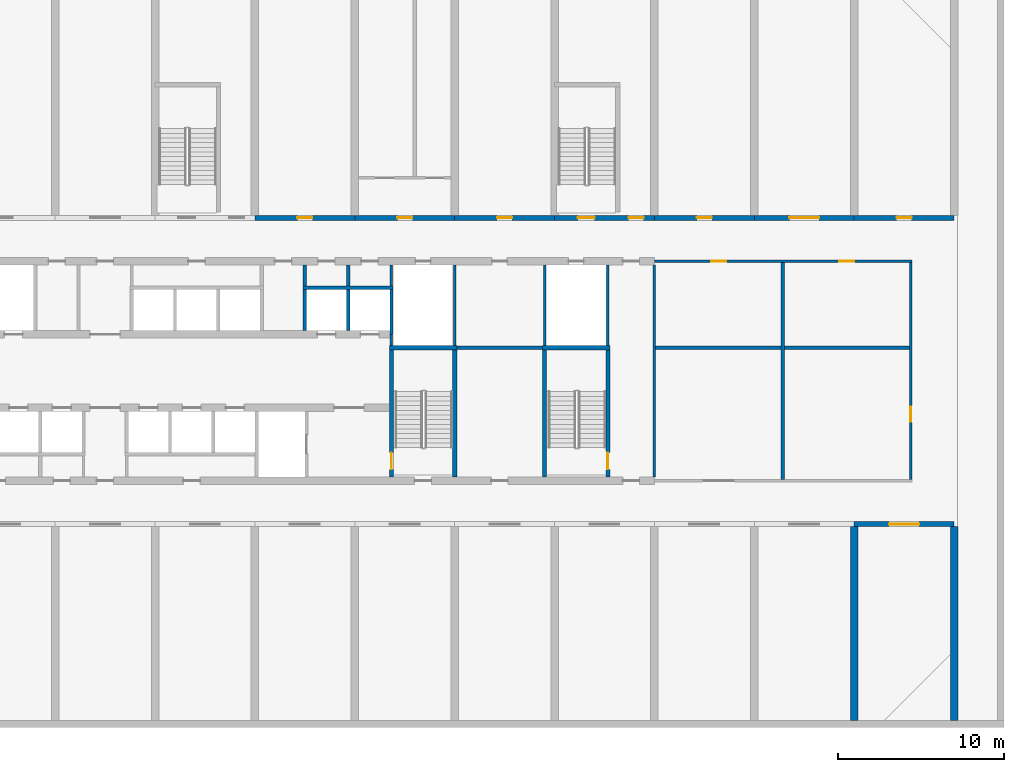
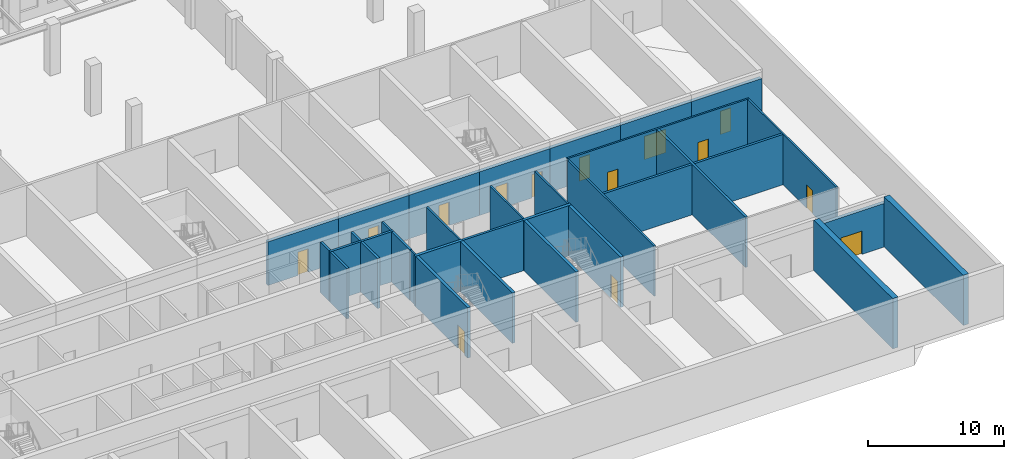
# One storey, part 13 of 20: 33 walls, 14 doors, 14 openings.
"""IFC4 building model written with IfcOpenShell, lengths in metres."""

from ifc_helpers import new_model, si_unit, direction, frame, frame_2d, origin, place, context, subcontext, project, spatial, rectangle, extrude, material, layer, layer_set, type_object, element, fill, save


model = new_model("IFC4")

# Units and contexts
model_context = context("Model", 3, precision=1e-05, world=origin(), true_north=direction((0.0, 1.0)))
body_context = subcontext(model_context, "Body", "Model", "MODEL_VIEW")
ifc_project = project(units=[si_unit("LENGTHUNIT", "METRE"), si_unit("AREAUNIT", "SQUARE_METRE"), si_unit("VOLUMEUNIT", "CUBIC_METRE"), si_unit("PLANEANGLEUNIT", "RADIAN"), si_unit("MASSUNIT", "GRAM", prefix="KILO")], contexts=[model_context])

# Site, building, storey
site_placement = place(None, origin())
site = spatial("IfcSite", under=ifc_project, at=site_placement, CompositionType="ELEMENT")
building_placement = place(site_placement, origin())
building = spatial("IfcBuilding", under=site, at=building_placement, Name="Poui Terraces", CompositionType="ELEMENT")
storey_placement = place(building_placement, frame((0.0, 0.0, 6.0)))
storey = spatial("IfcBuildingStorey", under=building, at=storey_placement, Name="L01", CompositionType="ELEMENT", Elevation=6.0)

# Walls
ifc_material_1 = material(Name="Fire-rated masonry wall", Category="masonry")
ifc_layer_1 = layer(ifc_material_1, 0.199951171875)
ifc_layer_set_1 = layer_set([ifc_layer_1], Name="Fire-rated masonry wall")
wall_type_1 = type_object("IfcWallType", Name="COMPARTMENT WALL 200", PredefinedType="PARTITIONING", material=ifc_layer_set_1)
wall_1_placement = place(storey_placement, frame((72.135009765625, 22.60009765625, 0.0), z_axis=(0.0, 0.0, 1.0), x_axis=(1.0, 0.0, 0.0)))
element("IfcWall", 1, at=wall_1_placement, inside=storey, type_object=wall_type_1, Name="COMPARTMENT WALL 200", PredefinedType="PARTITIONING", context=body_context, shape_type="SweptSolid", body=[
    extrude(rectangle(XDim=5.1298828125, YDim=0.199951171875, at=frame_2d((2.56494140625, 0.0))), origin(), (0.0, 0.0, 1.0), 4.52001953125),
])
wall_2_placement = place(storey_placement, frame((84.074951171875, 22.60009765625, 0.0), z_axis=(0.0, 0.0, 1.0), x_axis=(1.0, 0.0, 0.0)))
element("IfcWall", 2, at=wall_2_placement, inside=storey, type_object=wall_type_1, Name="COMPARTMENT WALL 200", PredefinedType="PARTITIONING", context=body_context, shape_type="SweptSolid", body=[
    extrude(rectangle(XDim=15.25, YDim=0.199951171875, at=frame_2d((7.625, 0.0))), origin(), (0.0, 0.0, 1.0), 4.52001953125),
])
wall_3_placement = place(storey_placement, frame((63.0, 26.300048828125, 0.0), z_axis=(0.0, 0.0, 1.0), x_axis=(0.0, 1.0, 0.0)))
element("IfcWall", 3, at=wall_3_placement, inside=storey, type_object=wall_type_1, Name="COMPARTMENT WALL 200", PredefinedType="PARTITIONING", context=body_context, shape_type="SweptSolid", body=[
    extrude(rectangle(XDim=1.264892578125, YDim=0.199951171875, at=frame_2d((0.63232421875, 0.0))), origin(), (0.0, 0.0, 1.0), 4.52001953125),
])
wall_4_placement = place(storey_placement, frame((91.699951171875, 14.675048828125, 0.0), z_axis=(0.0, 0.0, 1.0), x_axis=(0.0, 1.0, 0.0)))
element("IfcWall", 4, at=wall_4_placement, inside=storey, type_object=wall_type_1, Name="COMPARTMENT WALL 200", PredefinedType="PARTITIONING", context=body_context, shape_type="SweptSolid", body=[
    extrude(rectangle(XDim=13.050048828125, YDim=0.199951171875, at=frame_2d((6.52490234375, 0.0))), origin(), (0.0, 0.0, 1.0), 4.52001953125),
])

# Wall, openings, doors
ifc_material_2 = material(Name="Fire-rated plasterboard wall")
ifc_layer_2 = layer(ifc_material_2, 0.14990234375)
ifc_layer_set_2 = layer_set([ifc_layer_2], Name="Fire-rated plasterboard wall")
wall_type_2 = type_object("IfcWallType", Name="CORRIDOR WALL 150", PredefinedType="PARTITIONING", material=ifc_layer_set_2)
wall_5_placement = place(storey_placement, frame((84.010009765625, 27.800048828125, 0.0), z_axis=(0.0, 0.0, 1.0), x_axis=(1.0, 0.0, 0.0)))
wall_5 = element("IfcWall", 5, at=wall_5_placement, inside=storey, type_object=wall_type_2, Name="CORRIDOR WALL 150", PredefinedType="PARTITIONING", context=body_context, shape_type="SweptSolid", body=[
    extrude(rectangle(XDim=15.465087890625, YDim=0.14990234375, at=frame_2d((7.732421875, 0.0))), origin(), (0.0, 0.0, 1.0), 4.52001953125),
])
opening_1_placement = place(wall_5_placement, frame((3.389892578125, 0.0, 0.0)))
opening_1 = element("IfcOpeningElement", 6, at=opening_1_placement, cuts=wall_5, Name="Opening D90", PredefinedType="OPENING", context=body_context, shape_type="SweptSolid", body=[
    extrude(rectangle(XDim=0.89990234375, YDim=2.10009765625, at=frame_2d((0.449951171875, 1.050048828125))), frame((0.0, 0.0849609375, 0.0), z_axis=(0.0, -1.0, 0.0), x_axis=(1.0, 0.0, 0.0)), (0.0, 0.0, 1.0), 0.169921875),
])
opening_2_placement = place(wall_5_placement, frame((11.090087890625, 0.0, 0.0)))
opening_2 = element("IfcOpeningElement", 7, at=opening_2_placement, cuts=wall_5, Name="Opening D90", PredefinedType="OPENING", context=body_context, shape_type="SweptSolid", body=[
    extrude(rectangle(XDim=0.89990234375, YDim=2.10009765625, at=frame_2d((0.449951171875, 1.050048828125))), frame((0.0, 0.0849609375, 0.0), z_axis=(0.0, -1.0, 0.0), x_axis=(1.0, 0.0, 0.0)), (0.0, 0.0, 1.0), 0.169921875),
])
ifc_material_3 = material(Name="Solid core timber door", Category="wood")
door_type_1 = type_object("IfcDoorType", Name="INTERNAL DOOR 900 X 2100", OperationType="NOTDEFINED", PredefinedType="DOOR", material=ifc_material_3)
door_1_placement = place(opening_1_placement, origin())
door_1 = element("IfcDoor", 8, at=door_1_placement, inside=storey, type_object=door_type_1, Name="INTERNAL DOOR 038", OperationType="SINGLE_SWING_RIGHT", OverallHeight=2.10009765625, OverallWidth=0.89990234375, PredefinedType="DOOR", context=body_context, shape_type="SweptSolid", body=[
    extrude(rectangle(XDim=0.89990234375, YDim=2.10009765625, at=frame_2d((0.449951171875, 1.050048828125))), frame((0.0, 0.02490234375, 0.0), z_axis=(0.0, -1.0, 0.0), x_axis=(1.0, 0.0, 0.0)), (0.0, 0.0, 1.0), 0.050048828125),
])
fill(opening_1, door_1)
door_2_placement = place(opening_2_placement, origin())
door_2 = element("IfcDoor", 9, at=door_2_placement, inside=storey, type_object=door_type_1, Name="INTERNAL DOOR 040", OperationType="SINGLE_SWING_LEFT", OverallHeight=2.10009765625, OverallWidth=0.89990234375, PredefinedType="DOOR", context=body_context, shape_type="SweptSolid", body=[
    extrude(rectangle(XDim=0.89990234375, YDim=2.10009765625, at=frame_2d((0.449951171875, 1.050048828125))), frame((0.0, 0.02490234375, 0.0), z_axis=(0.0, -1.0, 0.0), x_axis=(1.0, 0.0, 0.0)), (0.0, 0.0, 1.0), 0.050048828125),
])
fill(opening_2, door_2)

# Wall
wall_6_placement = place(storey_placement, frame((84.0, 14.8349609375, 0.0), z_axis=(0.0, 0.0, 1.0), x_axis=(0.0, 1.0, 0.0)))
element("IfcWall", 10, at=wall_6_placement, inside=storey, type_object=wall_type_2, Name="CORRIDOR WALL 150", PredefinedType="PARTITIONING", context=body_context, shape_type="SweptSolid", body=[
    extrude(rectangle(XDim=12.72998046875, YDim=0.14990234375, at=frame_2d((6.364990234375, 0.0))), origin(), (0.0, 0.0, 1.0), 4.52001953125),
])

# Wall, opening, door
wall_7_placement = place(storey_placement, frame((99.39990234375, 14.675048828125, 0.0), z_axis=(0.0, 0.0, 1.0), x_axis=(0.0, 1.0, 0.0)))
wall_7 = element("IfcWall", 11, at=wall_7_placement, inside=storey, type_object=wall_type_2, Name="CORRIDOR WALL 150", PredefinedType="PARTITIONING", context=body_context, shape_type="SweptSolid", body=[
    extrude(rectangle(XDim=13.050048828125, YDim=0.14990234375, at=frame_2d((6.52490234375, 0.0))), origin(), (0.0, 0.0, 1.0), 4.52001953125),
])
opening_3_placement = place(wall_7_placement, frame((3.47509765625, 0.0, 0.0)))
opening_3 = element("IfcOpeningElement", 12, at=opening_3_placement, cuts=wall_7, Name="Opening D90", PredefinedType="OPENING", context=body_context, shape_type="SweptSolid", body=[
    extrude(rectangle(XDim=0.89990234375, YDim=2.10009765625, at=frame_2d((0.449951171875, 1.050048828125))), frame((0.0, 0.0849609375, 0.0), z_axis=(0.0, -1.0, 0.0), x_axis=(1.0, 0.0, 0.0)), (0.0, 0.0, 1.0), 0.169921875),
])
door_3_placement = place(opening_3_placement, frame((0.89990234375, 0.0, 0.0), z_axis=(0.0, 0.0, 1.0), x_axis=(-1.0, 0.0, 0.0)))
door_3 = element("IfcDoor", 13, at=door_3_placement, inside=storey, type_object=door_type_1, Name="INTERNAL DOOR 001", OperationType="SINGLE_SWING_LEFT", OverallHeight=2.10009765625, OverallWidth=0.89990234375, PredefinedType="DOOR", context=body_context, shape_type="SweptSolid", body=[
    extrude(rectangle(XDim=0.89990234375, YDim=2.10009765625, at=frame_2d((0.449951171875, 1.050048828125))), frame((0.0, 0.02490234375, 0.0), z_axis=(0.0, -1.0, 0.0), x_axis=(1.0, 0.0, 0.0)), (0.0, 0.0, 1.0), 0.050048828125),
])
fill(opening_3, door_3)

ifc_material_4 = material(Name="Concrete 80 MPa", Category="concrete")
ifc_layer_3 = layer(ifc_material_4, 0.300048828125)
ifc_layer_set_3 = layer_set([ifc_layer_3], Name="Concrete 80 MPa")
wall_type_3 = type_object("IfcWallType", Name="CORRIDOR WALL 300 80MPa", PredefinedType="SHEAR", material=ifc_layer_set_3)
wall_8_placement = place(storey_placement, frame((96.0, 12.0, 0.0), z_axis=(0.0, 0.0, 1.0), x_axis=(1.0, 0.0, 0.0)))
wall_8 = element("IfcWall", 14, at=wall_8_placement, inside=storey, type_object=wall_type_3, Name="CORRIDOR WALL LINE B BAY 17", PredefinedType="SHEAR", context=body_context, shape_type="SweptSolid", body=[
    extrude(rectangle(XDim=6.0, YDim=0.300048828125, at=frame_2d((3.0, 0.0))), origin(), (0.0, 0.0, 1.0), 3.919921875),
])
opening_4_placement = place(wall_8_placement, frame((2.10009765625, 0.0, 0.0)))
opening_4 = element("IfcOpeningElement", 15, at=opening_4_placement, cuts=wall_8, Name="Opening DD180", PredefinedType="OPENING", context=body_context, shape_type="SweptSolid", body=[
    extrude(rectangle(XDim=1.800048828125, YDim=2.10009765625, at=frame_2d((0.89990234375, 1.050048828125))), frame((0.0, 0.16015625, 0.0), z_axis=(0.0, -1.0, 0.0), x_axis=(1.0, 0.0, 0.0)), (0.0, 0.0, 1.0), 0.320068359375),
])
ifc_material_5 = material(Name="Steel fire door", Category="steel")
door_type_2 = type_object("IfcDoorType", Name="DOUBLE INTERNAL DOOR 1800 X 2100", OperationType="DOUBLE_DOOR_SINGLE_SWING", PredefinedType="DOOR", material=ifc_material_5)
door_4_placement = place(opening_4_placement, origin())
door_4 = element("IfcDoor", 16, at=door_4_placement, inside=storey, type_object=door_type_2, Name="DOUBLE INTERNAL DOOR 070", OperationType="DOUBLE_DOOR_SINGLE_SWING", OverallHeight=2.10009765625, OverallWidth=1.800048828125, PredefinedType="DOOR", context=body_context, shape_type="SweptSolid", body=[
    extrude(rectangle(XDim=1.800048828125, YDim=2.10009765625, at=frame_2d((0.89990234375, 1.050048828125))), frame((0.0, 0.02490234375, 0.0), z_axis=(0.0, -1.0, 0.0), x_axis=(1.0, 0.0, 0.0)), (0.0, 0.0, 1.0), 0.050048828125),
])
fill(opening_4, door_4)

wall_9_placement = place(storey_placement, frame((60.0, 30.39990234375, 0.0), z_axis=(0.0, 0.0, 1.0), x_axis=(1.0, 0.0, 0.0)))
wall_9 = element("IfcWall", 17, at=wall_9_placement, inside=storey, type_object=wall_type_3, Name="CORRIDOR WALL LINE E BAY 11", PredefinedType="SHEAR", context=body_context, shape_type="SweptSolid", body=[
    extrude(rectangle(XDim=6.0, YDim=0.300048828125, at=frame_2d((3.0, 0.0))), origin(), (0.0, 0.0, 1.0), 3.919921875),
])
opening_5_placement = place(wall_9_placement, frame((2.550048828125, 0.0, 0.0)))
opening_5 = element("IfcOpeningElement", 18, at=opening_5_placement, cuts=wall_9, Name="Opening D90", PredefinedType="OPENING", context=body_context, shape_type="SweptSolid", body=[
    extrude(rectangle(XDim=0.89990234375, YDim=2.10009765625, at=frame_2d((0.449951171875, 1.050048828125))), frame((0.0, 0.16015625, 0.0), z_axis=(0.0, -1.0, 0.0), x_axis=(1.0, 0.0, 0.0)), (0.0, 0.0, 1.0), 0.320068359375),
])
door_5_placement = place(opening_5_placement, frame((0.89990234375, 0.0, 0.0), z_axis=(0.0, 0.0, 1.0), x_axis=(-1.0, 0.0, 0.0)))
door_5 = element("IfcDoor", 19, at=door_5_placement, inside=storey, type_object=door_type_1, Name="INTERNAL DOOR 026", OperationType="SINGLE_SWING_LEFT", OverallHeight=2.10009765625, OverallWidth=0.89990234375, PredefinedType="DOOR", context=body_context, shape_type="SweptSolid", body=[
    extrude(rectangle(XDim=0.89990234375, YDim=2.10009765625, at=frame_2d((0.449951171875, 1.050048828125))), frame((0.0, 0.02490234375, 0.0), z_axis=(0.0, -1.0, 0.0), x_axis=(1.0, 0.0, 0.0)), (0.0, 0.0, 1.0), 0.050048828125),
])
fill(opening_5, door_5)

wall_10_placement = place(storey_placement, frame((66.0, 30.39990234375, 0.0), z_axis=(0.0, 0.0, 1.0), x_axis=(1.0, 0.0, 0.0)))
wall_10 = element("IfcWall", 20, at=wall_10_placement, inside=storey, type_object=wall_type_3, Name="CORRIDOR WALL LINE E BAY 12", PredefinedType="SHEAR", context=body_context, shape_type="SweptSolid", body=[
    extrude(rectangle(XDim=6.0, YDim=0.300048828125, at=frame_2d((3.0, 0.0))), origin(), (0.0, 0.0, 1.0), 3.919921875),
])
opening_6_placement = place(wall_10_placement, frame((2.550048828125, 0.0, 0.0)))
opening_6 = element("IfcOpeningElement", 21, at=opening_6_placement, cuts=wall_10, Name="Opening D90", PredefinedType="OPENING", context=body_context, shape_type="SweptSolid", body=[
    extrude(rectangle(XDim=0.89990234375, YDim=2.10009765625, at=frame_2d((0.449951171875, 1.050048828125))), frame((0.0, 0.16015625, 0.0), z_axis=(0.0, -1.0, 0.0), x_axis=(1.0, 0.0, 0.0)), (0.0, 0.0, 1.0), 0.320068359375),
])
door_6_placement = place(opening_6_placement, frame((0.89990234375, 0.0, 0.0), z_axis=(0.0, 0.0, 1.0), x_axis=(-1.0, 0.0, 0.0)))
door_6 = element("IfcDoor", 22, at=door_6_placement, inside=storey, type_object=door_type_1, Name="INTERNAL DOOR 029", OperationType="SINGLE_SWING_RIGHT", OverallHeight=2.10009765625, OverallWidth=0.89990234375, PredefinedType="DOOR", context=body_context, shape_type="SweptSolid", body=[
    extrude(rectangle(XDim=0.89990234375, YDim=2.10009765625, at=frame_2d((0.449951171875, 1.050048828125))), frame((0.0, 0.02490234375, 0.0), z_axis=(0.0, -1.0, 0.0), x_axis=(1.0, 0.0, 0.0)), (0.0, 0.0, 1.0), 0.050048828125),
])
fill(opening_6, door_6)

wall_11_placement = place(storey_placement, frame((72.0, 30.39990234375, 0.0), z_axis=(0.0, 0.0, 1.0), x_axis=(1.0, 0.0, 0.0)))
wall_11 = element("IfcWall", 23, at=wall_11_placement, inside=storey, type_object=wall_type_3, Name="CORRIDOR WALL LINE E BAY 13", PredefinedType="SHEAR", context=body_context, shape_type="SweptSolid", body=[
    extrude(rectangle(XDim=6.0, YDim=0.300048828125, at=frame_2d((3.0, 0.0))), origin(), (0.0, 0.0, 1.0), 3.919921875),
])
opening_7_placement = place(wall_11_placement, frame((2.550048828125, 0.0, 0.0)))
opening_7 = element("IfcOpeningElement", 24, at=opening_7_placement, cuts=wall_11, Name="Opening D90", PredefinedType="OPENING", context=body_context, shape_type="SweptSolid", body=[
    extrude(rectangle(XDim=0.89990234375, YDim=2.10009765625, at=frame_2d((0.449951171875, 1.050048828125))), frame((0.0, 0.16015625, 0.0), z_axis=(0.0, -1.0, 0.0), x_axis=(1.0, 0.0, 0.0)), (0.0, 0.0, 1.0), 0.320068359375),
])
door_7_placement = place(opening_7_placement, frame((0.89990234375, 0.0, 0.0), z_axis=(0.0, 0.0, 1.0), x_axis=(-1.0, 0.0, 0.0)))
door_7 = element("IfcDoor", 25, at=door_7_placement, inside=storey, type_object=door_type_1, Name="INTERNAL DOOR 032", OperationType="SINGLE_SWING_LEFT", OverallHeight=2.10009765625, OverallWidth=0.89990234375, PredefinedType="DOOR", context=body_context, shape_type="SweptSolid", body=[
    extrude(rectangle(XDim=0.89990234375, YDim=2.10009765625, at=frame_2d((0.449951171875, 1.050048828125))), frame((0.0, 0.02490234375, 0.0), z_axis=(0.0, -1.0, 0.0), x_axis=(1.0, 0.0, 0.0)), (0.0, 0.0, 1.0), 0.050048828125),
])
fill(opening_7, door_7)

# Wall, openings, doors
wall_12_placement = place(storey_placement, frame((78.0, 30.39990234375, 0.0), z_axis=(0.0, 0.0, 1.0), x_axis=(1.0, 0.0, 0.0)))
wall_12 = element("IfcWall", 26, at=wall_12_placement, inside=storey, type_object=wall_type_3, Name="CORRIDOR WALL LINE E BAY 14", PredefinedType="SHEAR", context=body_context, shape_type="SweptSolid", body=[
    extrude(rectangle(XDim=6.0, YDim=0.300048828125, at=frame_2d((3.0, 0.0))), origin(), (0.0, 0.0, 1.0), 3.919921875),
])
opening_8_placement = place(wall_12_placement, frame((1.39990234375, 0.0, 0.0)))
opening_8 = element("IfcOpeningElement", 27, at=opening_8_placement, cuts=wall_12, Name="Opening FD60S", PredefinedType="OPENING", context=body_context, shape_type="SweptSolid", body=[
    extrude(rectangle(XDim=1.0, YDim=2.10009765625, at=frame_2d((0.5, 1.050048828125))), frame((0.0, 0.16015625, 0.0), z_axis=(0.0, -1.0, 0.0), x_axis=(1.0, 0.0, 0.0)), (0.0, 0.0, 1.0), 0.320068359375),
])
opening_9_placement = place(wall_12_placement, frame((4.449951171875, 0.0, 0.0)))
opening_9 = element("IfcOpeningElement", 28, at=opening_9_placement, cuts=wall_12, Name="Opening D90", PredefinedType="OPENING", context=body_context, shape_type="SweptSolid", body=[
    extrude(rectangle(XDim=0.89990234375, YDim=2.10009765625, at=frame_2d((0.449951171875, 1.050048828125))), frame((0.0, 0.16015625, 0.0), z_axis=(0.0, -1.0, 0.0), x_axis=(1.0, 0.0, 0.0)), (0.0, 0.0, 1.0), 0.320068359375),
])
door_8_placement = place(opening_9_placement, frame((0.89990234375, 0.0, 0.0), z_axis=(0.0, 0.0, 1.0), x_axis=(-1.0, 0.0, 0.0)))
door_8 = element("IfcDoor", 29, at=door_8_placement, inside=storey, type_object=door_type_1, Name="INTERNAL DOOR 036", OperationType="SINGLE_SWING_LEFT", OverallHeight=2.10009765625, OverallWidth=0.89990234375, PredefinedType="DOOR", context=body_context, shape_type="SweptSolid", body=[
    extrude(rectangle(XDim=0.89990234375, YDim=2.10009765625, at=frame_2d((0.449951171875, 1.050048828125))), frame((0.0, 0.02490234375, 0.0), z_axis=(0.0, -1.0, 0.0), x_axis=(1.0, 0.0, 0.0)), (0.0, 0.0, 1.0), 0.050048828125),
])
fill(opening_9, door_8)
door_type_3 = type_object("IfcDoorType", Name="STAIR DOOR 1000 X 2100", OperationType="NOTDEFINED", PredefinedType="DOOR", material=ifc_material_5)
door_9_placement = place(opening_8_placement, origin())
door_9 = element("IfcDoor", 30, at=door_9_placement, inside=storey, type_object=door_type_3, Name="STAIR DOOR 034", OperationType="SINGLE_SWING_LEFT", OverallHeight=2.10009765625, OverallWidth=1.0, PredefinedType="DOOR", context=body_context, shape_type="SweptSolid", body=[
    extrude(rectangle(XDim=1.0, YDim=2.10009765625, at=frame_2d((0.5, 1.050048828125))), frame((0.0, 0.02490234375, 0.0), z_axis=(0.0, -1.0, 0.0), x_axis=(1.0, 0.0, 0.0)), (0.0, 0.0, 1.0), 0.050048828125),
])
fill(opening_8, door_9)

# Wall, opening, door
wall_13_placement = place(storey_placement, frame((84.0, 30.39990234375, 0.0), z_axis=(0.0, 0.0, 1.0), x_axis=(1.0, 0.0, 0.0)))
wall_13 = element("IfcWall", 31, at=wall_13_placement, inside=storey, type_object=wall_type_3, Name="CORRIDOR WALL LINE E BAY 15", PredefinedType="SHEAR", context=body_context, shape_type="SweptSolid", body=[
    extrude(rectangle(XDim=6.0, YDim=0.300048828125, at=frame_2d((3.0, 0.0))), origin(), (0.0, 0.0, 1.0), 3.919921875),
])
opening_10_placement = place(wall_13_placement, frame((2.550048828125, 0.0, 0.0)))
opening_10 = element("IfcOpeningElement", 32, at=opening_10_placement, cuts=wall_13, Name="Opening D90", PredefinedType="OPENING", context=body_context, shape_type="SweptSolid", body=[
    extrude(rectangle(XDim=0.89990234375, YDim=2.10009765625, at=frame_2d((0.449951171875, 1.050048828125))), frame((0.0, 0.16015625, 0.0), z_axis=(0.0, -1.0, 0.0), x_axis=(1.0, 0.0, 0.0)), (0.0, 0.0, 1.0), 0.320068359375),
])
door_10_placement = place(opening_10_placement, frame((0.89990234375, 0.0, 0.0), z_axis=(0.0, 0.0, 1.0), x_axis=(-1.0, 0.0, 0.0)))
door_10 = element("IfcDoor", 33, at=door_10_placement, inside=storey, type_object=door_type_1, Name="INTERNAL DOOR 037", OperationType="SINGLE_SWING_RIGHT", OverallHeight=2.10009765625, OverallWidth=0.89990234375, PredefinedType="DOOR", context=body_context, shape_type="SweptSolid", body=[
    extrude(rectangle(XDim=0.89990234375, YDim=2.10009765625, at=frame_2d((0.449951171875, 1.050048828125))), frame((0.0, 0.02490234375, 0.0), z_axis=(0.0, -1.0, 0.0), x_axis=(1.0, 0.0, 0.0)), (0.0, 0.0, 1.0), 0.050048828125),
])
fill(opening_10, door_10)

wall_14_placement = place(storey_placement, frame((90.0, 30.39990234375, 0.0), z_axis=(0.0, 0.0, 1.0), x_axis=(1.0, 0.0, 0.0)))
wall_14 = element("IfcWall", 34, at=wall_14_placement, inside=storey, type_object=wall_type_3, Name="CORRIDOR WALL LINE E BAY 16", PredefinedType="SHEAR", context=body_context, shape_type="SweptSolid", body=[
    extrude(rectangle(XDim=6.0, YDim=0.300048828125, at=frame_2d((3.0, 0.0))), origin(), (0.0, 0.0, 1.0), 3.919921875),
])
opening_11_placement = place(wall_14_placement, frame((2.10009765625, 0.0, 0.0)))
opening_11 = element("IfcOpeningElement", 35, at=opening_11_placement, cuts=wall_14, Name="Opening DD180", PredefinedType="OPENING", context=body_context, shape_type="SweptSolid", body=[
    extrude(rectangle(XDim=1.800048828125, YDim=2.10009765625, at=frame_2d((0.89990234375, 1.050048828125))), frame((0.0, 0.16015625, 0.0), z_axis=(0.0, -1.0, 0.0), x_axis=(1.0, 0.0, 0.0)), (0.0, 0.0, 1.0), 0.320068359375),
])
door_11_placement = place(opening_11_placement, frame((1.800048828125, 0.0, 0.0), z_axis=(0.0, 0.0, 1.0), x_axis=(-1.0, 0.0, 0.0)))
door_11 = element("IfcDoor", 36, at=door_11_placement, inside=storey, type_object=door_type_2, Name="DOUBLE INTERNAL DOOR 039", OperationType="DOUBLE_DOOR_SINGLE_SWING", OverallHeight=2.10009765625, OverallWidth=1.800048828125, PredefinedType="DOOR", context=body_context, shape_type="SweptSolid", body=[
    extrude(rectangle(XDim=1.800048828125, YDim=2.10009765625, at=frame_2d((0.89990234375, 1.050048828125))), frame((0.0, 0.02490234375, 0.0), z_axis=(0.0, -1.0, 0.0), x_axis=(1.0, 0.0, 0.0)), (0.0, 0.0, 1.0), 0.050048828125),
])
fill(opening_11, door_11)

wall_15_placement = place(storey_placement, frame((96.0, 30.39990234375, 0.0), z_axis=(0.0, 0.0, 1.0), x_axis=(1.0, 0.0, 0.0)))
wall_15 = element("IfcWall", 37, at=wall_15_placement, inside=storey, type_object=wall_type_3, Name="CORRIDOR WALL LINE E BAY 17", PredefinedType="SHEAR", context=body_context, shape_type="SweptSolid", body=[
    extrude(rectangle(XDim=6.0, YDim=0.300048828125, at=frame_2d((3.0, 0.0))), origin(), (0.0, 0.0, 1.0), 3.919921875),
])
opening_12_placement = place(wall_15_placement, frame((2.550048828125, 0.0, 0.0)))
opening_12 = element("IfcOpeningElement", 38, at=opening_12_placement, cuts=wall_15, Name="Opening D90", PredefinedType="OPENING", context=body_context, shape_type="SweptSolid", body=[
    extrude(rectangle(XDim=0.89990234375, YDim=2.10009765625, at=frame_2d((0.449951171875, 1.050048828125))), frame((0.0, 0.16015625, 0.0), z_axis=(0.0, -1.0, 0.0), x_axis=(1.0, 0.0, 0.0)), (0.0, 0.0, 1.0), 0.320068359375),
])
door_12_placement = place(opening_12_placement, frame((0.89990234375, 0.0, 0.0), z_axis=(0.0, 0.0, 1.0), x_axis=(-1.0, 0.0, 0.0)))
door_12 = element("IfcDoor", 39, at=door_12_placement, inside=storey, type_object=door_type_1, Name="INTERNAL DOOR 041", OperationType="SINGLE_SWING_RIGHT", OverallHeight=2.10009765625, OverallWidth=0.89990234375, PredefinedType="DOOR", context=body_context, shape_type="SweptSolid", body=[
    extrude(rectangle(XDim=0.89990234375, YDim=2.10009765625, at=frame_2d((0.449951171875, 1.050048828125))), frame((0.0, 0.02490234375, 0.0), z_axis=(0.0, -1.0, 0.0), x_axis=(1.0, 0.0, 0.0)), (0.0, 0.0, 1.0), 0.050048828125),
])
fill(opening_12, door_12)

# Walls
ifc_layer_4 = layer(ifc_material_4, 0.449951171875)
ifc_layer_set_4 = layer_set([ifc_layer_4], Name="Concrete 80 MPa")
wall_type_4 = type_object("IfcWallType", Name="CROSS WALL 450 80MPa", PredefinedType="SHEAR", material=ifc_layer_set_4)
for number, where, z_axis, x_axis, name in (
    (40, (96.0, 0.199951171875, 0.0), (0.0, 0.0, 1.0), (0.0, 1.0, 0.0), "CROSS WALL LINE 17 SOUTH"),
    (41, (102.0, 0.199951171875, 0.0), (0.0, 0.0, 1.0), (0.0, 1.0, 0.0), "CROSS WALL LINE 18 SOUTH"),
):
    element("IfcWall", number, at=place(storey_placement, frame(where, z_axis=z_axis, x_axis=x_axis)), inside=storey, type_object=wall_type_4, Name=name, PredefinedType="SHEAR", context=body_context, shape_type="SweptSolid", body=[
        extrude(rectangle(XDim=11.650146484375, YDim=0.449951171875, at=frame_2d((5.8251953125, 0.0))), origin(), (0.0, 0.0, 1.0), 4.52001953125),
    ])
ifc_layer_5 = layer(ifc_material_1, 0.199951171875)
ifc_layer_set_5 = layer_set([ifc_layer_5], Name="Fire-rated masonry wall")
wall_type_5 = type_object("IfcWallType", Name="PLANT ROOM WALL 200", PredefinedType="PARTITIONING", material=ifc_layer_set_5)
wall_16_placement = place(storey_placement, frame((65.60009765625, 26.300048828125, 0.0), z_axis=(0.0, 0.0, 1.0), x_axis=(0.0, 1.0, 0.0)))
element("IfcWall", 42, at=wall_16_placement, inside=storey, type_object=wall_type_5, Name="PLANT ROOM WALL 200", PredefinedType="PARTITIONING", context=body_context, shape_type="SweptSolid", body=[
    extrude(rectangle(XDim=1.264892578125, YDim=0.199951171875, at=frame_2d((0.63232421875, 0.0))), origin(), (0.0, 0.0, 1.0), 4.52001953125),
])
ifc_material_6 = material(Name="Fire-rated plasterboard riser wall")
ifc_layer_6 = layer(ifc_material_6, 0.14990234375)
ifc_layer_set_6 = layer_set([ifc_layer_6], Name="Fire-rated plasterboard riser wall")
wall_type_6 = type_object("IfcWallType", Name="RISER WALL 150", PredefinedType="PARTITIONING", material=ifc_layer_set_6)
wall_17_placement = place(storey_placement, frame((68.199951171875, 22.735107421875, 0.0), z_axis=(0.0, 0.0, 1.0), x_axis=(0.0, 1.0, 0.0)))
element("IfcWall", 43, at=wall_17_placement, inside=storey, type_object=wall_type_6, Name="RISER WALL 150", PredefinedType="PARTITIONING", context=body_context, shape_type="SweptSolid", body=[
    extrude(rectangle(XDim=0.664794921875, YDim=0.14990234375, at=frame_2d((0.33251953125, 0.0))), origin(), (0.0, 0.0, 1.0), 4.52001953125),
])
wall_18_placement = place(storey_placement, frame((68.199951171875, 26.300048828125, 0.0), z_axis=(0.0, 0.0, 1.0), x_axis=(0.0, 1.0, 0.0)))
element("IfcWall", 44, at=wall_18_placement, inside=storey, type_object=wall_type_6, Name="RISER WALL 150", PredefinedType="PARTITIONING", context=body_context, shape_type="SweptSolid", body=[
    extrude(rectangle(XDim=1.264892578125, YDim=0.14990234375, at=frame_2d((0.63232421875, 0.0))), origin(), (0.0, 0.0, 1.0), 4.52001953125),
])
for number, where, z_axis, x_axis, name in (
    (45, (72.0, 22.735107421875, 0.0), (0.0, 0.0, 1.0), (0.0, 1.0, 0.0), "RISER WALL 150"),
    (46, (77.39990234375, 22.735107421875, 0.0), (0.0, 0.0, 1.0), (0.0, 1.0, 0.0), "RISER WALL 150"),
    (47, (81.199951171875, 22.735107421875, 0.0), (0.0, 0.0, 1.0), (0.0, 1.0, 0.0), "RISER WALL 150"),
):
    element("IfcWall", number, at=place(storey_placement, frame(where, z_axis=z_axis, x_axis=x_axis)), inside=storey, type_object=wall_type_6, Name=name, PredefinedType="PARTITIONING", context=body_context, shape_type="SweptSolid", body=[
        extrude(rectangle(XDim=4.829833984375, YDim=0.14990234375, at=frame_2d((2.4150390625, 0.0))), origin(), (0.0, 0.0, 1.0), 4.52001953125),
    ])
ifc_material_7 = material(Name="Fire-rated masonry shaft wall", Category="masonry")
ifc_layer_7 = layer(ifc_material_7, 0.199951171875)
ifc_layer_set_7 = layer_set([ifc_layer_7], Name="Fire-rated masonry shaft wall")
wall_type_7 = type_object("IfcWallType", Name="SHAFT WALL 200", PredefinedType="PARTITIONING", material=ifc_layer_set_7)
wall_19_placement = place(storey_placement, frame((62.89990234375, 26.199951171875, 0.0), z_axis=(0.0, 0.0, 1.0), x_axis=(1.0, 0.0, 0.0)))
element("IfcWall", 48, at=wall_19_placement, inside=storey, type_object=wall_type_7, Name="SHAFT WALL 200", PredefinedType="PARTITIONING", context=body_context, shape_type="SweptSolid", body=[
    extrude(rectangle(XDim=5.400146484375, YDim=0.199951171875, at=frame_2d((2.7001953125, 0.0))), origin(), (0.0, 0.0, 1.0), 4.52001953125),
])
for number, where, z_axis, x_axis, name in (
    (49, (63.0, 23.635009765625, 0.0), (0.0, 0.0, 1.0), (0.0, 1.0, 0.0), "SHAFT WALL 200"),
    (50, (65.60009765625, 23.635009765625, 0.0), (0.0, 0.0, 1.0), (0.0, 1.0, 0.0), "SHAFT WALL 200"),
):
    element("IfcWall", number, at=place(storey_placement, frame(where, z_axis=z_axis, x_axis=x_axis)), inside=storey, type_object=wall_type_7, Name=name, PredefinedType="PARTITIONING", context=body_context, shape_type="SweptSolid", body=[
        extrude(rectangle(XDim=2.465087890625, YDim=0.199951171875, at=frame_2d((1.232421875, 0.0))), origin(), (0.0, 0.0, 1.0), 4.52001953125),
    ])
wall_20_placement = place(storey_placement, frame((68.199951171875, 23.39990234375, 0.0), z_axis=(0.0, 0.0, 1.0), x_axis=(0.0, 1.0, 0.0)))
element("IfcWall", 51, at=wall_20_placement, inside=storey, type_object=wall_type_7, Name="SHAFT WALL 200", PredefinedType="PARTITIONING", context=body_context, shape_type="SweptSolid", body=[
    extrude(rectangle(XDim=2.7001953125, YDim=0.199951171875, at=frame_2d((1.35009765625, 0.0))), origin(), (0.0, 0.0, 1.0), 4.52001953125),
])

# Wall, opening, door
ifc_layer_8 = layer(ifc_material_4, 0.25)
ifc_layer_set_8 = layer_set([ifc_layer_8], Name="Concrete 80 MPa")
wall_type_8 = type_object("IfcWallType", Name="STAIR CORE WALL 250 80 MPA", PredefinedType="SOLIDWALL", material=ifc_layer_set_8)
wall_21_placement = place(storey_placement, frame((68.199951171875, 14.824951171875, 0.0), z_axis=(0.0, 0.0, 1.0), x_axis=(0.0, 1.0, 0.0)))
wall_21 = element("IfcWall", 52, at=wall_21_placement, inside=storey, type_object=wall_type_8, Name="STAIR CORE WALL", PredefinedType="SOLIDWALL", context=body_context, shape_type="SweptSolid", body=[
    extrude(rectangle(XDim=7.650146484375, YDim=0.25, at=frame_2d((3.8251953125, 0.0))), origin(), (0.0, 0.0, 1.0), 4.52001953125),
])
opening_13_placement = place(wall_21_placement, frame((0.47509765625, 0.0, 0.0)))
opening_13 = element("IfcOpeningElement", 53, at=opening_13_placement, cuts=wall_21, Name="Opening FD60S", PredefinedType="OPENING", context=body_context, shape_type="SweptSolid", body=[
    extrude(rectangle(XDim=1.0, YDim=2.10009765625, at=frame_2d((0.5, 1.050048828125))), frame((0.0, 0.135009765625, 0.0), z_axis=(0.0, -1.0, 0.0), x_axis=(1.0, 0.0, 0.0)), (0.0, 0.0, 1.0), 0.27001953125),
])
door_13_placement = place(opening_13_placement, frame((1.0, 0.0, 0.0), z_axis=(0.0, 0.0, 1.0), x_axis=(-1.0, 0.0, 0.0)))
door_13 = element("IfcDoor", 54, at=door_13_placement, inside=storey, type_object=door_type_3, Name="STAIR DOOR 083", OperationType="SINGLE_SWING_LEFT", OverallHeight=2.10009765625, OverallWidth=1.0, PredefinedType="DOOR", context=body_context, shape_type="SweptSolid", body=[
    extrude(rectangle(XDim=1.0, YDim=2.10009765625, at=frame_2d((0.5, 1.050048828125))), frame((0.0, 0.02490234375, 0.0), z_axis=(0.0, -1.0, 0.0), x_axis=(1.0, 0.0, 0.0)), (0.0, 0.0, 1.0), 0.050048828125),
])
fill(opening_13, door_13)

# Walls
wall_22_placement = place(storey_placement, frame((72.0, 14.824951171875, 0.0), z_axis=(0.0, 0.0, 1.0), x_axis=(0.0, 1.0, 0.0)))
element("IfcWall", 55, at=wall_22_placement, inside=storey, type_object=wall_type_8, Name="STAIR CORE WALL", PredefinedType="SOLIDWALL", context=body_context, shape_type="SweptSolid", body=[
    extrude(rectangle(XDim=7.650146484375, YDim=0.25, at=frame_2d((3.8251953125, 0.0))), origin(), (0.0, 0.0, 1.0), 4.52001953125),
])
wall_23_placement = place(storey_placement, frame((68.074951171875, 22.60009765625, 0.0), z_axis=(0.0, 0.0, 1.0), x_axis=(1.0, 0.0, 0.0)))
element("IfcWall", 56, at=wall_23_placement, inside=storey, type_object=wall_type_8, Name="STAIR CORE WALL", PredefinedType="SOLIDWALL", context=body_context, shape_type="SweptSolid", body=[
    extrude(rectangle(XDim=4.050048828125, YDim=0.25, at=frame_2d((2.02490234375, 0.0))), origin(), (0.0, 0.0, 1.0), 4.52001953125),
])
wall_24_placement = place(storey_placement, frame((77.39990234375, 14.824951171875, 0.0), z_axis=(0.0, 0.0, 1.0), x_axis=(0.0, 1.0, 0.0)))
element("IfcWall", 57, at=wall_24_placement, inside=storey, type_object=wall_type_8, Name="STAIR CORE WALL", PredefinedType="SOLIDWALL", context=body_context, shape_type="SweptSolid", body=[
    extrude(rectangle(XDim=7.650146484375, YDim=0.25, at=frame_2d((3.8251953125, 0.0))), origin(), (0.0, 0.0, 1.0), 4.52001953125),
])

# Wall, opening, door
wall_25_placement = place(storey_placement, frame((81.199951171875, 14.824951171875, 0.0), z_axis=(0.0, 0.0, 1.0), x_axis=(0.0, 1.0, 0.0)))
wall_25 = element("IfcWall", 58, at=wall_25_placement, inside=storey, type_object=wall_type_8, Name="STAIR CORE WALL", PredefinedType="SOLIDWALL", context=body_context, shape_type="SweptSolid", body=[
    extrude(rectangle(XDim=7.650146484375, YDim=0.25, at=frame_2d((3.8251953125, 0.0))), origin(), (0.0, 0.0, 1.0), 4.52001953125),
])
opening_14_placement = place(wall_25_placement, frame((0.47509765625, 0.0, 0.0)))
opening_14 = element("IfcOpeningElement", 59, at=opening_14_placement, cuts=wall_25, Name="Opening FD60S", PredefinedType="OPENING", context=body_context, shape_type="SweptSolid", body=[
    extrude(rectangle(XDim=1.0, YDim=2.10009765625, at=frame_2d((0.5, 1.050048828125))), frame((0.0, 0.135009765625, 0.0), z_axis=(0.0, -1.0, 0.0), x_axis=(1.0, 0.0, 0.0)), (0.0, 0.0, 1.0), 0.27001953125),
])
door_14_placement = place(opening_14_placement, origin())
door_14 = element("IfcDoor", 60, at=door_14_placement, inside=storey, type_object=door_type_3, Name="STAIR DOOR 099", OperationType="SINGLE_SWING_LEFT", OverallHeight=2.10009765625, OverallWidth=1.0, PredefinedType="DOOR", context=body_context, shape_type="SweptSolid", body=[
    extrude(rectangle(XDim=1.0, YDim=2.10009765625, at=frame_2d((0.5, 1.050048828125))), frame((0.0, 0.02490234375, 0.0), z_axis=(0.0, -1.0, 0.0), x_axis=(1.0, 0.0, 0.0)), (0.0, 0.0, 1.0), 0.050048828125),
])
fill(opening_14, door_14)

# Wall
wall_26_placement = place(storey_placement, frame((77.27490234375, 22.60009765625, 0.0), z_axis=(0.0, 0.0, 1.0), x_axis=(1.0, 0.0, 0.0)))
element("IfcWall", 61, at=wall_26_placement, inside=storey, type_object=wall_type_8, Name="STAIR CORE WALL", PredefinedType="SOLIDWALL", context=body_context, shape_type="SweptSolid", body=[
    extrude(rectangle(XDim=4.050048828125, YDim=0.25, at=frame_2d((2.02490234375, 0.0))), origin(), (0.0, 0.0, 1.0), 4.52001953125),
])

save(model, "model.ifc")
